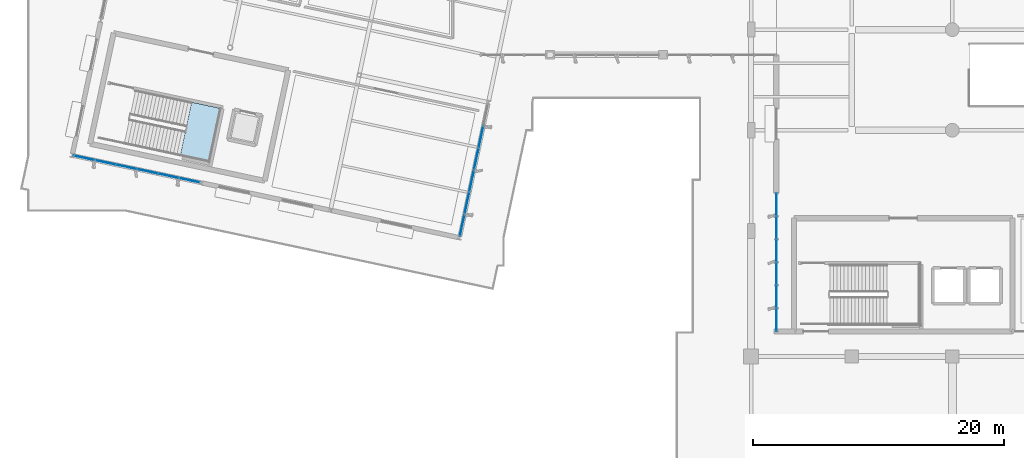
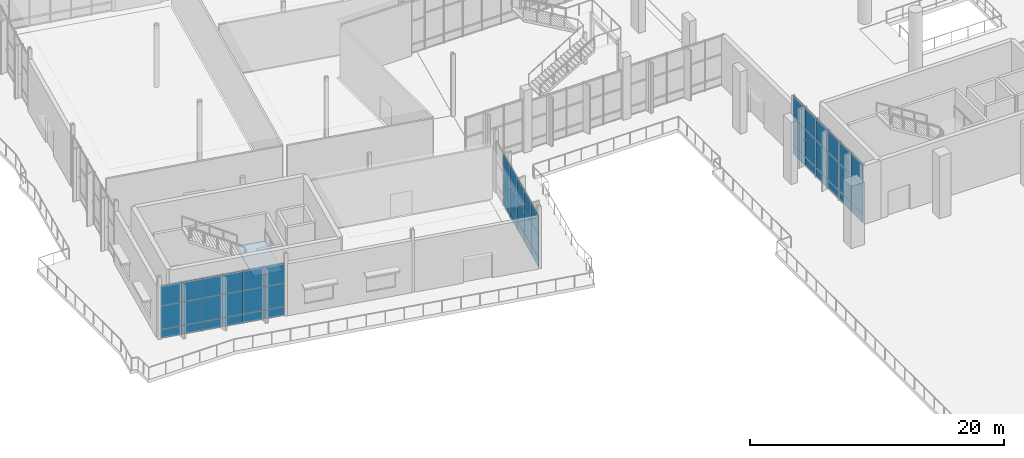
# One storey, part 109 of 163: 51 plates, 1 slab, 4 elements without a shape of their own.
"""IFC4 building model written with IfcOpenShell, lengths in metres."""

from ifc_helpers import new_model, si_unit, direction, frame, origin, origin_2d, place, context, subcontext, project, spatial, polyline, rectangle, outline, extrude, material, layer, layer_set, type_object, element, aggregate, save


model = new_model("IFC4")

# Units and contexts
model_context = context("Model", 3, precision=1e-05, world=origin(), true_north=direction((0.0, 1.0)))
body_context = subcontext(model_context, "Body", "Model", "MODEL_VIEW")
ifc_project = project(units=[si_unit("LENGTHUNIT", "METRE"), si_unit("AREAUNIT", "SQUARE_METRE"), si_unit("VOLUMEUNIT", "CUBIC_METRE"), si_unit("PLANEANGLEUNIT", "RADIAN"), si_unit("MASSUNIT", "GRAM", prefix="KILO")], contexts=[model_context])

# Site, building, storey
site_placement = place(None, origin())
site = spatial("IfcSite", under=ifc_project, at=site_placement, CompositionType="ELEMENT")
building_placement = place(site_placement, origin())
building = spatial("IfcBuilding", under=site, at=building_placement, Name="Khorjan Park Terminus", CompositionType="ELEMENT")
storey_placement = place(building_placement, origin())
storey = spatial("IfcBuildingStorey", under=building, at=storey_placement, Name="L00", CompositionType="ELEMENT", Elevation=0.0)

# Curtain wall, plates
ifc_material_1 = material(Name="Anodized Bronze Aluminium", Category="aluminium")
ifc_layer_1 = layer(ifc_material_1, 0.22)
ifc_layer_set_1 = layer_set([ifc_layer_1], Name="Anodized Bronze Aluminium")
curtain_wall_type_1 = type_object("IfcCurtainWallType", Name="CW-PAV-C", PredefinedType="NOTDEFINED", material=ifc_layer_set_1)
curtain_wall_1_placement = place(storey_placement, origin())
curtain_wall_1 = element("IfcCurtainWall", 1, at=curtain_wall_1_placement, inside=storey, type_object=curtain_wall_type_1, Name="Unitized curtain wall CW-C (CW-V4-S-L00-B01)", PredefinedType="NOTDEFINED")
ifc_material_2 = material(Name="Acoustic Laminated Solar Glazing", Category="glass")
ifc_layer_2 = layer(ifc_material_2, 0.036)
ifc_layer_set_2 = layer_set([ifc_layer_2], Name="Acoustic Laminated Solar Glazing")
plate_type_1 = type_object("IfcPlateType", Name="GL-VIS-36", PredefinedType="CURTAIN_PANEL", material=ifc_layer_set_2)
plate_1_placement = place(storey_placement, frame((-5.0373, 41.7954, 0.85), z_axis=(0.0, 0.0, 1.0), x_axis=(0.978147146591, -0.207913827382, 0.0)))
plate_1 = element("IfcPlate", 2, at=plate_1_placement, type_object=plate_type_1, Name="Curtain-wall panel VP-36 (CW-V4-S-L00-B01-0-2)", PredefinedType="CURTAIN_PANEL", context=body_context, shape_type="SweptSolid", body=[
    extrude(rectangle(XDim=1.7084, YDim=0.036, at=origin_2d()), origin(), (0.0, 0.0, 1.0), 2.2655),
])
plate_2_placement = place(storey_placement, frame((-5.0373, 41.7954, 3.1156), z_axis=(0.0, 0.0, 1.0), x_axis=(0.978147146591, -0.207913827382, 0.0)))
plate_2 = element("IfcPlate", 3, at=plate_2_placement, type_object=plate_type_1, Name="Curtain-wall panel VP-36 (CW-V4-S-L00-B01-0-3)", PredefinedType="CURTAIN_PANEL", context=body_context, shape_type="SweptSolid", body=[
    extrude(rectangle(XDim=1.7084, YDim=0.036, at=origin_2d()), origin(), (0.0, 0.0, 1.0), 1.9195),
])
plate_3_placement = place(storey_placement, frame((-3.3662, 41.4402, 0.85), z_axis=(0.0, 0.0, 1.0), x_axis=(0.978147146591, -0.207913827382, 0.0)))
plate_3 = element("IfcPlate", 4, at=plate_3_placement, type_object=plate_type_1, Name="Curtain-wall panel VP-36 (CW-V4-S-L00-B01-1-2)", PredefinedType="CURTAIN_PANEL", context=body_context, shape_type="SweptSolid", body=[
    extrude(rectangle(XDim=1.7084, YDim=0.036, at=origin_2d()), origin(), (0.0, 0.0, 1.0), 2.2655),
])
plate_4_placement = place(storey_placement, frame((-3.3662, 41.4402, 3.1156), z_axis=(0.0, 0.0, 1.0), x_axis=(0.978147146591, -0.207913827382, 0.0)))
plate_4 = element("IfcPlate", 5, at=plate_4_placement, type_object=plate_type_1, Name="Curtain-wall panel VP-36 (CW-V4-S-L00-B01-1-3)", PredefinedType="CURTAIN_PANEL", context=body_context, shape_type="SweptSolid", body=[
    extrude(rectangle(XDim=1.7084, YDim=0.036, at=origin_2d()), origin(), (0.0, 0.0, 1.0), 1.9195),
])
plate_5_placement = place(storey_placement, frame((-1.6951, 41.085, 0.85), z_axis=(0.0, 0.0, 1.0), x_axis=(0.978147146591, -0.207913827382, 0.0)))
plate_5 = element("IfcPlate", 6, at=plate_5_placement, type_object=plate_type_1, Name="Curtain-wall panel VP-36 (CW-V4-S-L00-B01-2-2)", PredefinedType="CURTAIN_PANEL", context=body_context, shape_type="SweptSolid", body=[
    extrude(rectangle(XDim=1.7084, YDim=0.036, at=origin_2d()), origin(), (0.0, 0.0, 1.0), 2.2655),
])
plate_6_placement = place(storey_placement, frame((-1.6951, 41.085, 3.1156), z_axis=(0.0, 0.0, 1.0), x_axis=(0.978147146591, -0.207913827382, 0.0)))
plate_6 = element("IfcPlate", 7, at=plate_6_placement, type_object=plate_type_1, Name="Curtain-wall panel VP-36 (CW-V4-S-L00-B01-2-3)", PredefinedType="CURTAIN_PANEL", context=body_context, shape_type="SweptSolid", body=[
    extrude(rectangle(XDim=1.7084, YDim=0.036, at=origin_2d()), origin(), (0.0, 0.0, 1.0), 1.9195),
])
plate_7_placement = place(storey_placement, frame((-0.0241, 40.7298, 0.85), z_axis=(0.0, 0.0, 1.0), x_axis=(0.978147146591, -0.207913827382, 0.0)))
plate_7 = element("IfcPlate", 8, at=plate_7_placement, type_object=plate_type_1, Name="Curtain-wall panel VP-36 (CW-V4-S-L00-B01-3-2)", PredefinedType="CURTAIN_PANEL", context=body_context, shape_type="SweptSolid", body=[
    extrude(rectangle(XDim=1.7084, YDim=0.036, at=origin_2d()), origin(), (0.0, 0.0, 1.0), 2.2655),
])
plate_8_placement = place(storey_placement, frame((-0.0241, 40.7298, 3.1156), z_axis=(0.0, 0.0, 1.0), x_axis=(0.978147146591, -0.207913827382, 0.0)))
plate_8 = element("IfcPlate", 9, at=plate_8_placement, type_object=plate_type_1, Name="Curtain-wall panel VP-36 (CW-V4-S-L00-B01-3-3)", PredefinedType="CURTAIN_PANEL", context=body_context, shape_type="SweptSolid", body=[
    extrude(rectangle(XDim=1.7084, YDim=0.036, at=origin_2d()), origin(), (0.0, 0.0, 1.0), 1.9195),
])
plate_9_placement = place(storey_placement, frame((1.647, 40.3746, 0.85), z_axis=(0.0, 0.0, 1.0), x_axis=(0.978147146591, -0.207913827382, 0.0)))
plate_9 = element("IfcPlate", 10, at=plate_9_placement, type_object=plate_type_1, Name="Curtain-wall panel VP-36 (CW-V4-S-L00-B01-4-2)", PredefinedType="CURTAIN_PANEL", context=body_context, shape_type="SweptSolid", body=[
    extrude(rectangle(XDim=1.7084, YDim=0.036, at=origin_2d()), origin(), (0.0, 0.0, 1.0), 2.2655),
])
plate_10_placement = place(storey_placement, frame((1.647, 40.3746, 3.1156), z_axis=(0.0, 0.0, 1.0), x_axis=(0.978147146591, -0.207913827382, 0.0)))
plate_10 = element("IfcPlate", 11, at=plate_10_placement, type_object=plate_type_1, Name="Curtain-wall panel VP-36 (CW-V4-S-L00-B01-4-3)", PredefinedType="CURTAIN_PANEL", context=body_context, shape_type="SweptSolid", body=[
    extrude(rectangle(XDim=1.7084, YDim=0.036, at=origin_2d()), origin(), (0.0, 0.0, 1.0), 1.9195),
])
plate_11_placement = place(storey_placement, frame((3.318, 40.0194, 0.85), z_axis=(0.0, 0.0, 1.0), x_axis=(0.978147146591, -0.207913827382, 0.0)))
plate_11 = element("IfcPlate", 12, at=plate_11_placement, type_object=plate_type_1, Name="Curtain-wall panel VP-36 (CW-V4-S-L00-B01-5-2)", PredefinedType="CURTAIN_PANEL", context=body_context, shape_type="SweptSolid", body=[
    extrude(rectangle(XDim=1.7084, YDim=0.036, at=origin_2d()), origin(), (0.0, 0.0, 1.0), 2.2655),
])
plate_12_placement = place(storey_placement, frame((3.318, 40.0194, 3.1156), z_axis=(0.0, 0.0, 1.0), x_axis=(0.978147146591, -0.207913827382, 0.0)))
plate_12 = element("IfcPlate", 13, at=plate_12_placement, type_object=plate_type_1, Name="Curtain-wall panel VP-36 (CW-V4-S-L00-B01-5-3)", PredefinedType="CURTAIN_PANEL", context=body_context, shape_type="SweptSolid", body=[
    extrude(rectangle(XDim=1.7084, YDim=0.036, at=origin_2d()), origin(), (0.0, 0.0, 1.0), 1.9195),
])

curtain_wall_2_placement = place(storey_placement, origin())
curtain_wall_2 = element("IfcCurtainWall", 14, at=curtain_wall_2_placement, inside=storey, type_object=curtain_wall_type_1, Name="Unitized curtain wall CW-C (CW-V4-E-L00-B01)", PredefinedType="NOTDEFINED")
plate_13_placement = place(storey_placement, frame((25.0248, 36.4536, 0.8499), z_axis=(0.0, 0.0, 1.0), x_axis=(0.207916776669, 0.978146519689, 0.0)))
plate_13 = element("IfcPlate", 15, at=plate_13_placement, type_object=plate_type_1, Name="Curtain-wall panel VP-36 (CW-V4-E-L00-B01-0-2)", PredefinedType="CURTAIN_PANEL", context=body_context, shape_type="SweptSolid", body=[
    extrude(rectangle(XDim=1.7899, YDim=0.036, at=origin_2d()), origin(), (0.0, 0.0, 1.0), 2.2345),
])
plate_14_placement = place(storey_placement, frame((25.0248, 36.4536, 3.0844), z_axis=(0.0, 0.0, 1.0), x_axis=(0.207916776669, 0.978146519689, 0.0)))
plate_14 = element("IfcPlate", 16, at=plate_14_placement, type_object=plate_type_1, Name="Curtain-wall panel VP-36 (CW-V4-E-L00-B01-0-3)", PredefinedType="CURTAIN_PANEL", context=body_context, shape_type="SweptSolid", body=[
    extrude(rectangle(XDim=1.7899, YDim=0.036, at=origin_2d()), origin(), (0.0, 0.0, 1.0), 1.9005),
])
plate_15_placement = place(storey_placement, frame((25.3969, 38.2044, 0.8499), z_axis=(0.0, 0.0, 1.0), x_axis=(0.207916776669, 0.978146519689, 0.0)))
plate_15 = element("IfcPlate", 17, at=plate_15_placement, type_object=plate_type_1, Name="Curtain-wall panel VP-36 (CW-V4-E-L00-B01-1-2)", PredefinedType="CURTAIN_PANEL", context=body_context, shape_type="SweptSolid", body=[
    extrude(rectangle(XDim=1.7899, YDim=0.036, at=origin_2d()), origin(), (0.0, 0.0, 1.0), 2.2345),
])
plate_16_placement = place(storey_placement, frame((25.3969, 38.2044, 3.0844), z_axis=(0.0, 0.0, 1.0), x_axis=(0.207916776669, 0.978146519689, 0.0)))
plate_16 = element("IfcPlate", 18, at=plate_16_placement, type_object=plate_type_1, Name="Curtain-wall panel VP-36 (CW-V4-E-L00-B01-1-3)", PredefinedType="CURTAIN_PANEL", context=body_context, shape_type="SweptSolid", body=[
    extrude(rectangle(XDim=1.7899, YDim=0.036, at=origin_2d()), origin(), (0.0, 0.0, 1.0), 1.9005),
])
plate_17_placement = place(storey_placement, frame((25.7691, 39.9552, 0.8499), z_axis=(0.0, 0.0, 1.0), x_axis=(0.207916776669, 0.978146519689, 0.0)))
plate_17 = element("IfcPlate", 19, at=plate_17_placement, type_object=plate_type_1, Name="Curtain-wall panel VP-36 (CW-V4-E-L00-B01-2-2)", PredefinedType="CURTAIN_PANEL", context=body_context, shape_type="SweptSolid", body=[
    extrude(rectangle(XDim=1.7899, YDim=0.036, at=origin_2d()), origin(), (0.0, 0.0, 1.0), 2.2345),
])
plate_18_placement = place(storey_placement, frame((25.7691, 39.9552, 3.0844), z_axis=(0.0, 0.0, 1.0), x_axis=(0.207916776669, 0.978146519689, 0.0)))
plate_18 = element("IfcPlate", 20, at=plate_18_placement, type_object=plate_type_1, Name="Curtain-wall panel VP-36 (CW-V4-E-L00-B01-2-3)", PredefinedType="CURTAIN_PANEL", context=body_context, shape_type="SweptSolid", body=[
    extrude(rectangle(XDim=1.7899, YDim=0.036, at=origin_2d()), origin(), (0.0, 0.0, 1.0), 1.9005),
])
plate_19_placement = place(storey_placement, frame((26.1412, 41.706, 0.8499), z_axis=(0.0, 0.0, 1.0), x_axis=(0.207916776669, 0.978146519689, 0.0)))
plate_19 = element("IfcPlate", 21, at=plate_19_placement, type_object=plate_type_1, Name="Curtain-wall panel VP-36 (CW-V4-E-L00-B01-3-2)", PredefinedType="CURTAIN_PANEL", context=body_context, shape_type="SweptSolid", body=[
    extrude(rectangle(XDim=1.7899, YDim=0.036, at=origin_2d()), origin(), (0.0, 0.0, 1.0), 2.2345),
])
plate_20_placement = place(storey_placement, frame((26.1412, 41.706, 3.0844), z_axis=(0.0, 0.0, 1.0), x_axis=(0.207916776669, 0.978146519689, 0.0)))
plate_20 = element("IfcPlate", 22, at=plate_20_placement, type_object=plate_type_1, Name="Curtain-wall panel VP-36 (CW-V4-E-L00-B01-3-3)", PredefinedType="CURTAIN_PANEL", context=body_context, shape_type="SweptSolid", body=[
    extrude(rectangle(XDim=1.7899, YDim=0.036, at=origin_2d()), origin(), (0.0, 0.0, 1.0), 1.9005),
])
plate_21_placement = place(storey_placement, frame((26.5134, 43.4567, 0.8499), z_axis=(0.0, 0.0, 1.0), x_axis=(0.207916776669, 0.978146519689, 0.0)))
plate_21 = element("IfcPlate", 23, at=plate_21_placement, type_object=plate_type_1, Name="Curtain-wall panel VP-36 (CW-V4-E-L00-B01-4-2)", PredefinedType="CURTAIN_PANEL", context=body_context, shape_type="SweptSolid", body=[
    extrude(rectangle(XDim=1.7899, YDim=0.036, at=origin_2d()), origin(), (0.0, 0.0, 1.0), 2.2345),
])
plate_22_placement = place(storey_placement, frame((26.5134, 43.4567, 3.0844), z_axis=(0.0, 0.0, 1.0), x_axis=(0.207916776669, 0.978146519689, 0.0)))
plate_22 = element("IfcPlate", 24, at=plate_22_placement, type_object=plate_type_1, Name="Curtain-wall panel VP-36 (CW-V4-E-L00-B01-4-3)", PredefinedType="CURTAIN_PANEL", context=body_context, shape_type="SweptSolid", body=[
    extrude(rectangle(XDim=1.7899, YDim=0.036, at=origin_2d()), origin(), (0.0, 0.0, 1.0), 1.9005),
])

ifc_layer_3 = layer(ifc_material_1, 0.22)
ifc_layer_set_3 = layer_set([ifc_layer_3], Name="Anodized Bronze Aluminium")
curtain_wall_type_2 = type_object("IfcCurtainWallType", Name="CW-CONC-A", PredefinedType="NOTDEFINED", material=ifc_layer_set_3)
curtain_wall_3_placement = place(storey_placement, origin())
curtain_wall_3 = element("IfcCurtainWall", 25, at=curtain_wall_3_placement, inside=storey, type_object=curtain_wall_type_2, Name="Unitized curtain wall CW-A (CW-V2-W-L00-01)", PredefinedType="NOTDEFINED")
ifc_material_3 = material(Name="Triple Low-E High-Selectivity Glazing", Category="glass")
ifc_layer_4 = layer(ifc_material_3, 0.04)
ifc_layer_set_4 = layer_set([ifc_layer_4], Name="Triple Low-E High-Selectivity Glazing")
plate_type_2 = type_object("IfcPlateType", Name="GL-VIS-40", PredefinedType="CURTAIN_PANEL", material=ifc_layer_set_4)
plate_23_placement = place(storey_placement, frame((50.0, 38.0833, 0.85), z_axis=(0.0, 0.0, 1.0), x_axis=(0.0, -1.0, 0.0)))
plate_23 = element("IfcPlate", 26, at=plate_23_placement, type_object=plate_type_2, Name="Curtain-wall panel VP-40 (CW-V2-W-L00-01-0-2)", PredefinedType="CURTAIN_PANEL", context=body_context, shape_type="SweptSolid", body=[
    extrude(rectangle(XDim=1.8333, YDim=0.04, at=origin_2d()), origin(), (0.0, 0.0, 1.0), 2.6344),
])
plate_24_placement = place(storey_placement, frame((50.0, 38.0833, 3.4844), z_axis=(0.0, 0.0, 1.0), x_axis=(0.0, -1.0, 0.0)))
plate_24 = element("IfcPlate", 27, at=plate_24_placement, type_object=plate_type_2, Name="Curtain-wall panel VP-40 (CW-V2-W-L00-01-0-3)", PredefinedType="CURTAIN_PANEL", context=body_context, shape_type="SweptSolid", body=[
    extrude(rectangle(XDim=1.8333, YDim=0.04, at=origin_2d()), origin(), (0.0, 0.0, 1.0), 2.1456),
])
plate_25_placement = place(storey_placement, frame((50.0, 36.25, 0.85), z_axis=(0.0, 0.0, 1.0), x_axis=(0.0, -1.0, 0.0)))
plate_25 = element("IfcPlate", 28, at=plate_25_placement, type_object=plate_type_2, Name="Curtain-wall panel VP-40 (CW-V2-W-L00-01-1-2)", PredefinedType="CURTAIN_PANEL", context=body_context, shape_type="SweptSolid", body=[
    extrude(rectangle(XDim=1.8333, YDim=0.04, at=origin_2d()), origin(), (0.0, 0.0, 1.0), 2.6344),
])
plate_26_placement = place(storey_placement, frame((50.0, 36.25, 3.4844), z_axis=(0.0, 0.0, 1.0), x_axis=(0.0, -1.0, 0.0)))
plate_26 = element("IfcPlate", 29, at=plate_26_placement, type_object=plate_type_2, Name="Curtain-wall panel VP-40 (CW-V2-W-L00-01-1-3)", PredefinedType="CURTAIN_PANEL", context=body_context, shape_type="SweptSolid", body=[
    extrude(rectangle(XDim=1.8333, YDim=0.04, at=origin_2d()), origin(), (0.0, 0.0, 1.0), 2.1456),
])
plate_27_placement = place(storey_placement, frame((50.0, 34.4167, 0.85), z_axis=(0.0, 0.0, 1.0), x_axis=(0.0, -1.0, 0.0)))
plate_27 = element("IfcPlate", 30, at=plate_27_placement, type_object=plate_type_2, Name="Curtain-wall panel VP-40 (CW-V2-W-L00-01-2-2)", PredefinedType="CURTAIN_PANEL", context=body_context, shape_type="SweptSolid", body=[
    extrude(rectangle(XDim=1.8333, YDim=0.04, at=origin_2d()), origin(), (0.0, 0.0, 1.0), 2.6344),
])
plate_28_placement = place(storey_placement, frame((50.0, 34.4167, 3.4844), z_axis=(0.0, 0.0, 1.0), x_axis=(0.0, -1.0, 0.0)))
plate_28 = element("IfcPlate", 31, at=plate_28_placement, type_object=plate_type_2, Name="Curtain-wall panel VP-40 (CW-V2-W-L00-01-2-3)", PredefinedType="CURTAIN_PANEL", context=body_context, shape_type="SweptSolid", body=[
    extrude(rectangle(XDim=1.8333, YDim=0.04, at=origin_2d()), origin(), (0.0, 0.0, 1.0), 2.1456),
])
plate_29_placement = place(storey_placement, frame((50.0, 32.5833, 0.85), z_axis=(0.0, 0.0, 1.0), x_axis=(0.0, -1.0, 0.0)))
plate_29 = element("IfcPlate", 32, at=plate_29_placement, type_object=plate_type_2, Name="Curtain-wall panel VP-40 (CW-V2-W-L00-01-3-2)", PredefinedType="CURTAIN_PANEL", context=body_context, shape_type="SweptSolid", body=[
    extrude(rectangle(XDim=1.8333, YDim=0.04, at=origin_2d()), origin(), (0.0, 0.0, 1.0), 2.6344),
])
plate_30_placement = place(storey_placement, frame((50.0, 32.5833, 3.4844), z_axis=(0.0, 0.0, 1.0), x_axis=(0.0, -1.0, 0.0)))
plate_30 = element("IfcPlate", 33, at=plate_30_placement, type_object=plate_type_2, Name="Curtain-wall panel VP-40 (CW-V2-W-L00-01-3-3)", PredefinedType="CURTAIN_PANEL", context=body_context, shape_type="SweptSolid", body=[
    extrude(rectangle(XDim=1.8333, YDim=0.04, at=origin_2d()), origin(), (0.0, 0.0, 1.0), 2.1456),
])
plate_31_placement = place(storey_placement, frame((50.0, 30.75, 0.85), z_axis=(0.0, 0.0, 1.0), x_axis=(0.0, -1.0, 0.0)))
plate_31 = element("IfcPlate", 34, at=plate_31_placement, type_object=plate_type_2, Name="Curtain-wall panel VP-40 (CW-V2-W-L00-01-4-2)", PredefinedType="CURTAIN_PANEL", context=body_context, shape_type="SweptSolid", body=[
    extrude(rectangle(XDim=1.8333, YDim=0.04, at=origin_2d()), origin(), (0.0, 0.0, 1.0), 2.6344),
])
plate_32_placement = place(storey_placement, frame((50.0, 30.75, 3.4844), z_axis=(0.0, 0.0, 1.0), x_axis=(0.0, -1.0, 0.0)))
plate_32 = element("IfcPlate", 35, at=plate_32_placement, type_object=plate_type_2, Name="Curtain-wall panel VP-40 (CW-V2-W-L00-01-4-3)", PredefinedType="CURTAIN_PANEL", context=body_context, shape_type="SweptSolid", body=[
    extrude(rectangle(XDim=1.8333, YDim=0.04, at=origin_2d()), origin(), (0.0, 0.0, 1.0), 2.1456),
])
plate_33_placement = place(storey_placement, frame((50.0, 28.9167, 0.85), z_axis=(0.0, 0.0, 1.0), x_axis=(0.0, -1.0, 0.0)))
plate_33 = element("IfcPlate", 36, at=plate_33_placement, type_object=plate_type_2, Name="Curtain-wall panel VP-40 (CW-V2-W-L00-01-5-2)", PredefinedType="CURTAIN_PANEL", context=body_context, shape_type="SweptSolid", body=[
    extrude(rectangle(XDim=1.8333, YDim=0.04, at=origin_2d()), origin(), (0.0, 0.0, 1.0), 2.6344),
])
plate_34_placement = place(storey_placement, frame((50.0, 28.9167, 3.4844), z_axis=(0.0, 0.0, 1.0), x_axis=(0.0, -1.0, 0.0)))
plate_34 = element("IfcPlate", 37, at=plate_34_placement, type_object=plate_type_2, Name="Curtain-wall panel VP-40 (CW-V2-W-L00-01-5-3)", PredefinedType="CURTAIN_PANEL", context=body_context, shape_type="SweptSolid", body=[
    extrude(rectangle(XDim=1.8333, YDim=0.04, at=origin_2d()), origin(), (0.0, 0.0, 1.0), 2.1456),
])

# Stair, slab
ifc_material_4 = material(Name="Concrete C40/50", Category="concrete")
stair_type = type_object("IfcStairType", Name="STR-CORE-200", PredefinedType="HALF_TURN_STAIR", material=ifc_material_4)
stair_placement = place(storey_placement, origin())
stair = element("IfcStair", 38, at=stair_placement, inside=storey, type_object=stair_type, Name="L00 Park Pavilion Exit Core exit stair ST-08", PredefinedType="HALF_TURN_STAIR")
ifc_layer_5 = layer(ifc_material_4, 0.2)
ifc_layer_set_5 = layer_set([ifc_layer_5], Name="Concrete C40/50")
slab_type = type_object("IfcSlabType", Name="SL-LND-200", PredefinedType="LANDING", material=ifc_layer_set_5)
slab_placement = place(storey_placement, frame((0.0, 0.0, 2.8)))
slab = element("IfcSlab", 39, at=slab_placement, type_object=slab_type, Name="ST-08 landing 1", PredefinedType="LANDING", context=body_context, shape_type="SweptSolid", body=[
    extrude(outline(polyline([(2.5852, 41.9642), (4.9278, 41.4663), (5.8343, 45.731), (3.4917, 46.229), (2.5852, 41.9642)])), origin(), (0.0, 0.0, 1.0), 0.2),
])
aggregate(stair, [slab])

# Plate
ifc_material_5 = material(Name="Insulated Anodized Bronze Spandrel Panel")
ifc_layer_6 = layer(ifc_material_5, 0.045)
ifc_layer_set_6 = layer_set([ifc_layer_6], Name="Insulated Anodized Bronze Spandrel Panel")
plate_type_3 = type_object("IfcPlateType", Name="SP-AL-45", PredefinedType="CURTAIN_PANEL", material=ifc_layer_set_6)
plate_35_placement = place(storey_placement, frame((50.0, 38.0833, -0.01), z_axis=(0.0, 0.0, 1.0), x_axis=(0.0, -1.0, 0.0)))
plate_35 = element("IfcPlate", 40, at=plate_35_placement, type_object=plate_type_3, Name="Curtain-wall panel SP-A45 (CW-V2-W-L00-01-0-1)", PredefinedType="CURTAIN_PANEL", context=body_context, shape_type="SweptSolid", body=[
    extrude(rectangle(XDim=1.8333, YDim=0.045, at=origin_2d()), origin(), (0.0, 0.0, 1.0), 0.86),
])

plate_36_placement = place(storey_placement, frame((50.0, 36.25, -0.01), z_axis=(0.0, 0.0, 1.0), x_axis=(0.0, -1.0, 0.0)))
plate_36 = element("IfcPlate", 41, at=plate_36_placement, type_object=plate_type_3, Name="Curtain-wall panel SP-A45 (CW-V2-W-L00-01-1-1)", PredefinedType="CURTAIN_PANEL", context=body_context, shape_type="SweptSolid", body=[
    extrude(rectangle(XDim=1.8333, YDim=0.045, at=origin_2d()), origin(), (0.0, 0.0, 1.0), 0.86),
])

plate_37_placement = place(storey_placement, frame((50.0, 34.4167, -0.01), z_axis=(0.0, 0.0, 1.0), x_axis=(0.0, -1.0, 0.0)))
plate_37 = element("IfcPlate", 42, at=plate_37_placement, type_object=plate_type_3, Name="Curtain-wall panel SP-A45 (CW-V2-W-L00-01-2-1)", PredefinedType="CURTAIN_PANEL", context=body_context, shape_type="SweptSolid", body=[
    extrude(rectangle(XDim=1.8333, YDim=0.045, at=origin_2d()), origin(), (0.0, 0.0, 1.0), 0.86),
])

plate_38_placement = place(storey_placement, frame((50.0, 32.5833, -0.01), z_axis=(0.0, 0.0, 1.0), x_axis=(0.0, -1.0, 0.0)))
plate_38 = element("IfcPlate", 43, at=plate_38_placement, type_object=plate_type_3, Name="Curtain-wall panel SP-A45 (CW-V2-W-L00-01-3-1)", PredefinedType="CURTAIN_PANEL", context=body_context, shape_type="SweptSolid", body=[
    extrude(rectangle(XDim=1.8333, YDim=0.045, at=origin_2d()), origin(), (0.0, 0.0, 1.0), 0.86),
])

plate_39_placement = place(storey_placement, frame((50.0, 30.75, -0.01), z_axis=(0.0, 0.0, 1.0), x_axis=(0.0, -1.0, 0.0)))
plate_39 = element("IfcPlate", 44, at=plate_39_placement, type_object=plate_type_3, Name="Curtain-wall panel SP-A45 (CW-V2-W-L00-01-4-1)", PredefinedType="CURTAIN_PANEL", context=body_context, shape_type="SweptSolid", body=[
    extrude(rectangle(XDim=1.8333, YDim=0.045, at=origin_2d()), origin(), (0.0, 0.0, 1.0), 0.86),
])

plate_40_placement = place(storey_placement, frame((50.0, 28.9167, -0.01), z_axis=(0.0, 0.0, 1.0), x_axis=(0.0, -1.0, 0.0)))
plate_40 = element("IfcPlate", 45, at=plate_40_placement, type_object=plate_type_3, Name="Curtain-wall panel SP-A45 (CW-V2-W-L00-01-5-1)", PredefinedType="CURTAIN_PANEL", context=body_context, shape_type="SweptSolid", body=[
    extrude(rectangle(XDim=1.8333, YDim=0.045, at=origin_2d()), origin(), (0.0, 0.0, 1.0), 0.86),
])

aggregate(curtain_wall_3, [plate_35, plate_23, plate_24, plate_36, plate_25, plate_26, plate_37, plate_27, plate_28, plate_38, plate_29, plate_30, plate_39, plate_31, plate_32, plate_40, plate_33, plate_34])

plate_41_placement = place(storey_placement, frame((-5.0373, 41.7954, -0.01), z_axis=(0.0, 0.0, 1.0), x_axis=(0.978147146591, -0.207913827382, 0.0)))
plate_41 = element("IfcPlate", 46, at=plate_41_placement, type_object=plate_type_3, Name="Curtain-wall panel SP-A45 (CW-V4-S-L00-B01-0-1)", PredefinedType="CURTAIN_PANEL", context=body_context, shape_type="SweptSolid", body=[
    extrude(rectangle(XDim=1.7084, YDim=0.045, at=origin_2d()), origin(), (0.0, 0.0, 1.0), 0.86),
])

plate_42_placement = place(storey_placement, frame((-3.3662, 41.4402, -0.01), z_axis=(0.0, 0.0, 1.0), x_axis=(0.978147146591, -0.207913827382, 0.0)))
plate_42 = element("IfcPlate", 47, at=plate_42_placement, type_object=plate_type_3, Name="Curtain-wall panel SP-A45 (CW-V4-S-L00-B01-1-1)", PredefinedType="CURTAIN_PANEL", context=body_context, shape_type="SweptSolid", body=[
    extrude(rectangle(XDim=1.7084, YDim=0.045, at=origin_2d()), origin(), (0.0, 0.0, 1.0), 0.86),
])

plate_43_placement = place(storey_placement, frame((-1.6951, 41.085, -0.01), z_axis=(0.0, 0.0, 1.0), x_axis=(0.978147146591, -0.207913827382, 0.0)))
plate_43 = element("IfcPlate", 48, at=plate_43_placement, type_object=plate_type_3, Name="Curtain-wall panel SP-A45 (CW-V4-S-L00-B01-2-1)", PredefinedType="CURTAIN_PANEL", context=body_context, shape_type="SweptSolid", body=[
    extrude(rectangle(XDim=1.7084, YDim=0.045, at=origin_2d()), origin(), (0.0, 0.0, 1.0), 0.86),
])

plate_44_placement = place(storey_placement, frame((-0.0241, 40.7298, -0.01), z_axis=(0.0, 0.0, 1.0), x_axis=(0.978147146591, -0.207913827382, 0.0)))
plate_44 = element("IfcPlate", 49, at=plate_44_placement, type_object=plate_type_3, Name="Curtain-wall panel SP-A45 (CW-V4-S-L00-B01-3-1)", PredefinedType="CURTAIN_PANEL", context=body_context, shape_type="SweptSolid", body=[
    extrude(rectangle(XDim=1.7084, YDim=0.045, at=origin_2d()), origin(), (0.0, 0.0, 1.0), 0.86),
])

plate_45_placement = place(storey_placement, frame((1.647, 40.3746, -0.01), z_axis=(0.0, 0.0, 1.0), x_axis=(0.978147146591, -0.207913827382, 0.0)))
plate_45 = element("IfcPlate", 50, at=plate_45_placement, type_object=plate_type_3, Name="Curtain-wall panel SP-A45 (CW-V4-S-L00-B01-4-1)", PredefinedType="CURTAIN_PANEL", context=body_context, shape_type="SweptSolid", body=[
    extrude(rectangle(XDim=1.7084, YDim=0.045, at=origin_2d()), origin(), (0.0, 0.0, 1.0), 0.86),
])

plate_46_placement = place(storey_placement, frame((3.318, 40.0194, -0.01), z_axis=(0.0, 0.0, 1.0), x_axis=(0.978147146591, -0.207913827382, 0.0)))
plate_46 = element("IfcPlate", 51, at=plate_46_placement, type_object=plate_type_3, Name="Curtain-wall panel SP-A45 (CW-V4-S-L00-B01-5-1)", PredefinedType="CURTAIN_PANEL", context=body_context, shape_type="SweptSolid", body=[
    extrude(rectangle(XDim=1.7084, YDim=0.045, at=origin_2d()), origin(), (0.0, 0.0, 1.0), 0.86),
])

aggregate(curtain_wall_1, [plate_41, plate_1, plate_2, plate_42, plate_3, plate_4, plate_43, plate_5, plate_6, plate_44, plate_7, plate_8, plate_45, plate_9, plate_10, plate_46, plate_11, plate_12])

plate_47_placement = place(storey_placement, frame((25.0248, 36.4536, -0.01), z_axis=(0.0, 0.0, 1.0), x_axis=(0.207916776669, 0.978146519689, 0.0)))
plate_47 = element("IfcPlate", 52, at=plate_47_placement, type_object=plate_type_3, Name="Curtain-wall panel SP-A45 (CW-V4-E-L00-B01-0-1)", PredefinedType="CURTAIN_PANEL", context=body_context, shape_type="SweptSolid", body=[
    extrude(rectangle(XDim=1.7899, YDim=0.045, at=origin_2d()), origin(), (0.0, 0.0, 1.0), 0.86),
])

plate_48_placement = place(storey_placement, frame((25.3969, 38.2044, -0.01), z_axis=(0.0, 0.0, 1.0), x_axis=(0.207916776669, 0.978146519689, 0.0)))
plate_48 = element("IfcPlate", 53, at=plate_48_placement, type_object=plate_type_3, Name="Curtain-wall panel SP-A45 (CW-V4-E-L00-B01-1-1)", PredefinedType="CURTAIN_PANEL", context=body_context, shape_type="SweptSolid", body=[
    extrude(rectangle(XDim=1.7899, YDim=0.045, at=origin_2d()), origin(), (0.0, 0.0, 1.0), 0.86),
])

plate_49_placement = place(storey_placement, frame((25.7691, 39.9552, -0.01), z_axis=(0.0, 0.0, 1.0), x_axis=(0.207916776669, 0.978146519689, 0.0)))
plate_49 = element("IfcPlate", 54, at=plate_49_placement, type_object=plate_type_3, Name="Curtain-wall panel SP-A45 (CW-V4-E-L00-B01-2-1)", PredefinedType="CURTAIN_PANEL", context=body_context, shape_type="SweptSolid", body=[
    extrude(rectangle(XDim=1.7899, YDim=0.045, at=origin_2d()), origin(), (0.0, 0.0, 1.0), 0.86),
])

plate_50_placement = place(storey_placement, frame((26.1412, 41.706, -0.01), z_axis=(0.0, 0.0, 1.0), x_axis=(0.207916776669, 0.978146519689, 0.0)))
plate_50 = element("IfcPlate", 55, at=plate_50_placement, type_object=plate_type_3, Name="Curtain-wall panel SP-A45 (CW-V4-E-L00-B01-3-1)", PredefinedType="CURTAIN_PANEL", context=body_context, shape_type="SweptSolid", body=[
    extrude(rectangle(XDim=1.7899, YDim=0.045, at=origin_2d()), origin(), (0.0, 0.0, 1.0), 0.86),
])

plate_51_placement = place(storey_placement, frame((26.5134, 43.4567, -0.01), z_axis=(0.0, 0.0, 1.0), x_axis=(0.207916776669, 0.978146519689, 0.0)))
plate_51 = element("IfcPlate", 56, at=plate_51_placement, type_object=plate_type_3, Name="Curtain-wall panel SP-A45 (CW-V4-E-L00-B01-4-1)", PredefinedType="CURTAIN_PANEL", context=body_context, shape_type="SweptSolid", body=[
    extrude(rectangle(XDim=1.7899, YDim=0.045, at=origin_2d()), origin(), (0.0, 0.0, 1.0), 0.86),
])

aggregate(curtain_wall_2, [plate_47, plate_13, plate_14, plate_48, plate_15, plate_16, plate_49, plate_17, plate_18, plate_50, plate_19, plate_20, plate_51, plate_21, plate_22])

save(model, "model.ifc")
